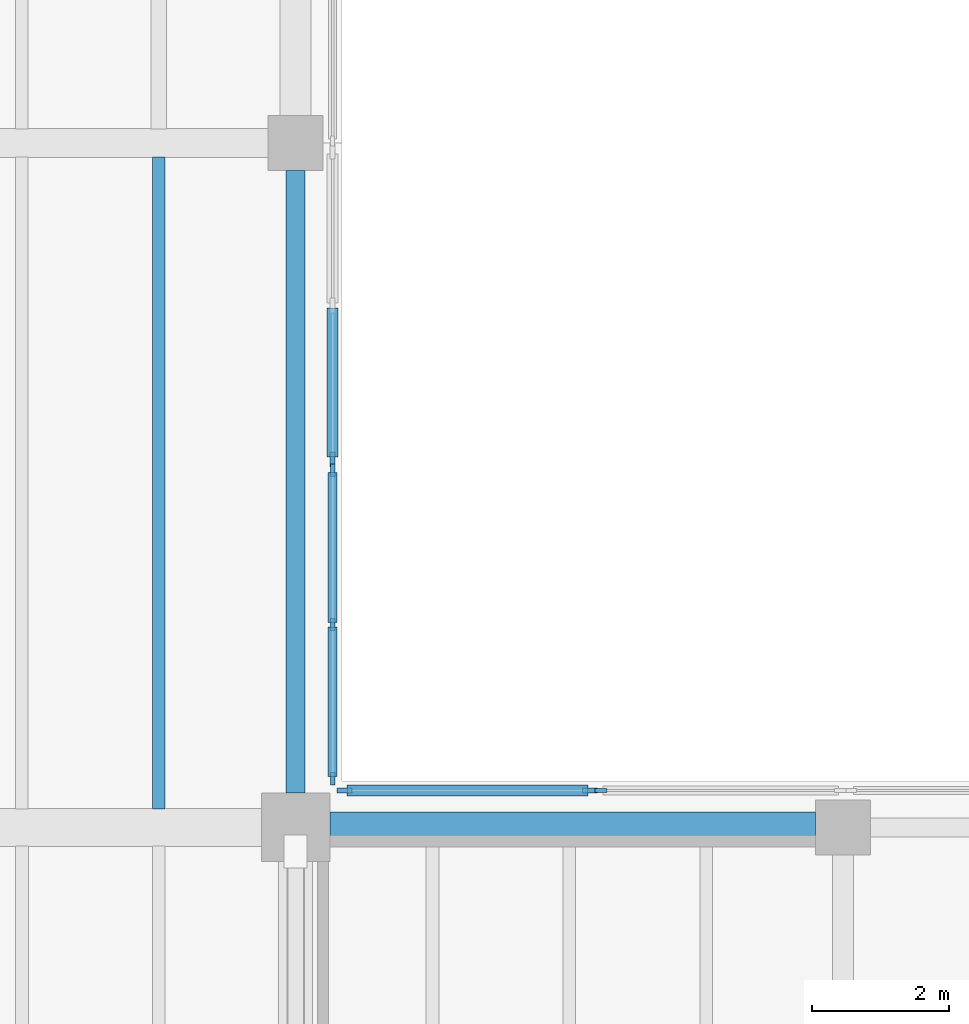
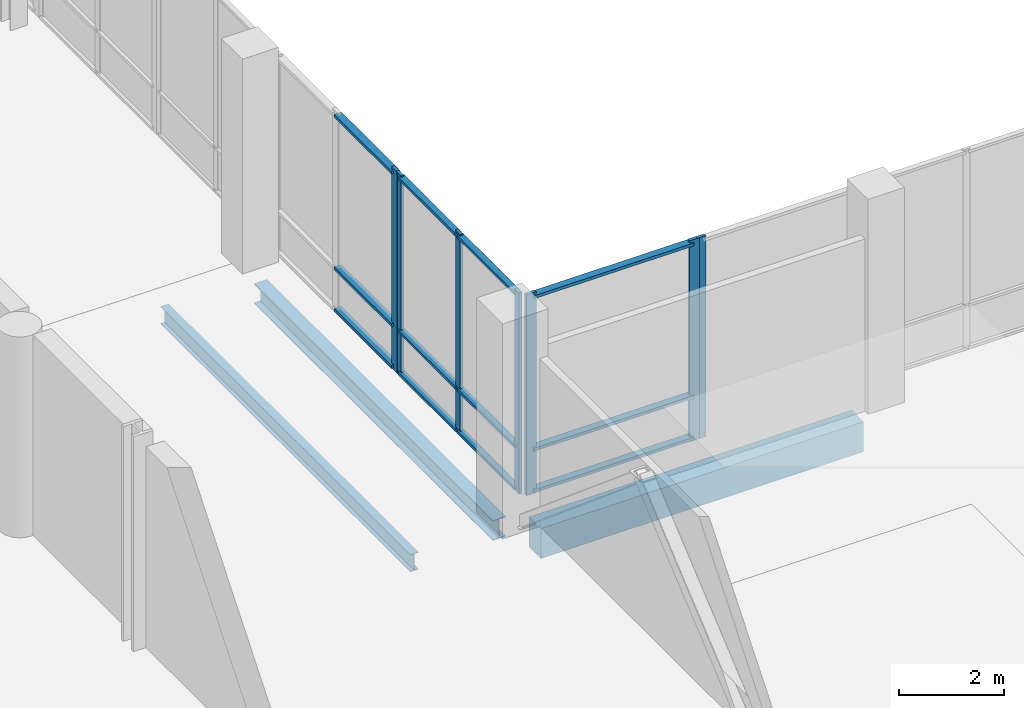
# One storey, part 31 of 81: 19 members, 3 beams, 4 elements without a shape of their own.
"""IFC4 building model written with IfcOpenShell, lengths in metres."""

from ifc_helpers import new_model, si_unit, direction, frame, origin, origin_2d, place, context, subcontext, project, spatial, rectangle, i_section, extrude, material, material_profile, profile_set, type_object, element, aggregate, save


model = new_model("IFC4")

# Units and contexts
model_context = context("Model", 3, precision=1e-05, world=origin(), true_north=direction((0.0, 1.0)))
body_context = subcontext(model_context, "Body", "Model", "MODEL_VIEW")
ifc_project = project(units=[si_unit("LENGTHUNIT", "METRE"), si_unit("AREAUNIT", "SQUARE_METRE"), si_unit("VOLUMEUNIT", "CUBIC_METRE"), si_unit("PLANEANGLEUNIT", "RADIAN"), si_unit("MASSUNIT", "GRAM", prefix="KILO")], contexts=[model_context])

# Site, building, storey
site_placement = place(None, origin())
site = spatial("IfcSite", under=ifc_project, at=site_placement, CompositionType="ELEMENT")
building_placement = place(site_placement, origin())
building = spatial("IfcBuilding", under=site, at=building_placement, Name="Trimount Lyric Opera House", CompositionType="ELEMENT")
storey_placement = place(building_placement, frame((0.0, 0.0, 5.0)))
storey = spatial("IfcBuildingStorey", under=building, at=storey_placement, Name="L01", CompositionType="ELEMENT", Elevation=5.0)

# Beam
ifc_material_1 = material(Name="Steel ASTM A992 Grade 50", Category="steel")
ifc_material_profile_1 = material_profile(ifc_material_1, i_section(OverallWidth=0.177978515625, OverallDepth=0.404052734375, WebThickness=0.007568359375, FlangeThickness=0.010986328125, FilletRadius=0.010009765625, at=origin_2d()), Name="W16X36")
ifc_profile_set_1 = profile_set([ifc_material_profile_1], Name="Steel ASTM A992 Grade 50")
beam_type_1 = type_object("IfcBeamType", Name="J-06", PredefinedType="BEAM", material=ifc_profile_set_1)
beam_1_placement = place(storey_placement, frame((120.0, 74.27099609375, -0.48193359375), z_axis=(0.0, 1.0, 0.0), x_axis=(-1.0, 0.0, 0.0)))
element("IfcBeam", 1, at=beam_1_placement, inside=storey, type_object=beam_type_1, Name="L01 composite floor joist 0706", PredefinedType="BEAM", context=body_context, shape_type="SweptSolid", body=[
    extrude(i_section(OverallWidth=0.177978515625, OverallDepth=0.404052734375, WebThickness=0.007568359375, FlangeThickness=0.010986328125, FilletRadius=0.010009765625, at=origin_2d()), origin(), (0.0, 0.0, 1.0), 9.5234375),
])

# Curtain wall, members
ifc_material_2 = material(Name="Thermally Broken Aluminium and Low-E Glass", Category="aluminium")
curtain_wall_type = type_object("IfcCurtainWallType", Name="CW-03", PredefinedType="NOTDEFINED", material=ifc_material_2)
curtain_wall_1_placement = place(storey_placement, origin())
curtain_wall_1 = element("IfcCurtainWall", 2, at=curtain_wall_1_placement, inside=storey, type_object=curtain_wall_type, Name="L01 curtain wall 120", PredefinedType="NOTDEFINED")
ifc_material_3 = material(Name="Anodised Aluminium 6063-T6", Category="aluminium")
ifc_material_profile_2 = material_profile(ifc_material_3, rectangle(XDim=0.070068359375, YDim=0.219970703125, at=origin_2d()), Name="ALU-MULL-70X220")
ifc_profile_set_2 = profile_set([ifc_material_profile_2], Name="Anodised Aluminium 6063-T6")
member_type_1 = type_object("IfcMemberType", Name="ML-01", PredefinedType="MULLION", material=ifc_profile_set_2)
member_1_placement = place(storey_placement, frame((122.715087890625, 74.5400390625, 0.0), z_axis=(0.0, 0.0, 1.0), x_axis=(0.0, 1.0, 0.0)))
member_1 = element("IfcMember", 3, at=member_1_placement, type_object=member_type_1, Name="CW-03 mullion 1", PredefinedType="MULLION", context=body_context, shape_type="SweptSolid", body=[
    extrude(rectangle(XDim=0.070068359375, YDim=0.219970703125, at=origin_2d()), origin(), (0.0, 0.0, 1.0), 4.679931640625),
])
member_2_placement = place(storey_placement, frame((126.304931640625, 74.5400390625, 0.0), z_axis=(0.0, 0.0, 1.0), x_axis=(0.0, 1.0, 0.0)))
member_2 = element("IfcMember", 4, at=member_2_placement, type_object=member_type_1, Name="CW-03 mullion 2", PredefinedType="MULLION", context=body_context, shape_type="SweptSolid", body=[
    extrude(rectangle(XDim=0.070068359375, YDim=0.219970703125, at=origin_2d()), origin(), (0.0, 0.0, 1.0), 4.679931640625),
])

# Curtain wall, member
curtain_wall_2_placement = place(storey_placement, origin())
curtain_wall_2 = element("IfcCurtainWall", 5, at=curtain_wall_2_placement, inside=storey, type_object=curtain_wall_type, Name="L01 curtain wall 141", PredefinedType="NOTDEFINED")
member_3_placement = place(storey_placement, frame((122.5400390625, 79.375, 0.0), z_axis=(0.0, 0.0, 1.0), x_axis=(1.0, 0.0, 0.0)))
member_3 = element("IfcMember", 6, at=member_3_placement, type_object=member_type_1, Name="CW-03 mullion 3", PredefinedType="MULLION", context=body_context, shape_type="SweptSolid", body=[
    extrude(rectangle(XDim=0.070068359375, YDim=0.219970703125, at=origin_2d()), origin(), (0.0, 0.0, 1.0), 4.679931640625),
])

curtain_wall_3_placement = place(storey_placement, origin())
curtain_wall_3 = element("IfcCurtainWall", 7, at=curtain_wall_3_placement, inside=storey, type_object=curtain_wall_type, Name="L01 curtain wall 121", PredefinedType="NOTDEFINED")
ifc_material_4 = material(Name="Anodised Aluminium 6063-T6", Category="aluminium")
ifc_material_profile_3 = material_profile(ifc_material_4, rectangle(XDim=0.06494140625, YDim=0.179931640625, at=origin_2d()), Name="ALU-MULL-65X180")
ifc_profile_set_3 = profile_set([ifc_material_profile_3], Name="Anodised Aluminium 6063-T6")
member_type_2 = type_object("IfcMemberType", Name="ML-02", PredefinedType="MULLION", material=ifc_profile_set_3)
member_4_placement = place(storey_placement, frame((126.46240234375, 74.5400390625, 0.0), z_axis=(0.0, 0.0, 1.0), x_axis=(0.0, 1.0, 0.0)))
member_4 = element("IfcMember", 8, at=member_4_placement, type_object=member_type_2, Name="CW-03 mullion 1", PredefinedType="MULLION", context=body_context, shape_type="SweptSolid", body=[
    extrude(rectangle(XDim=0.06494140625, YDim=0.179931640625, at=origin_2d()), origin(), (0.0, 0.0, 1.0), 4.679931640625),
])
aggregate(curtain_wall_3, [member_4])

# Curtain wall, members
curtain_wall_4_placement = place(storey_placement, origin())
curtain_wall_4 = element("IfcCurtainWall", 9, at=curtain_wall_4_placement, inside=storey, type_object=curtain_wall_type, Name="L01 curtain wall 142", PredefinedType="NOTDEFINED")
member_5_placement = place(storey_placement, frame((122.5400390625, 79.217529296875, 0.0), z_axis=(0.0, 0.0, 1.0), x_axis=(1.0, 0.0, 0.0)))
member_5 = element("IfcMember", 10, at=member_5_placement, type_object=member_type_2, Name="CW-03 mullion 1", PredefinedType="MULLION", context=body_context, shape_type="SweptSolid", body=[
    extrude(rectangle(XDim=0.06494140625, YDim=0.179931640625, at=origin_2d()), origin(), (0.0, 0.0, 1.0), 4.679931640625),
])
member_6_placement = place(storey_placement, frame((122.5400390625, 76.965087890625, 0.0), z_axis=(0.0, 0.0, 1.0), x_axis=(1.0, 0.0, 0.0)))
member_6 = element("IfcMember", 11, at=member_6_placement, type_object=member_type_2, Name="CW-03 mullion 2", PredefinedType="MULLION", context=body_context, shape_type="SweptSolid", body=[
    extrude(rectangle(XDim=0.06494140625, YDim=0.179931640625, at=origin_2d()), origin(), (0.0, 0.0, 1.0), 4.679931640625),
])
member_7_placement = place(storey_placement, frame((122.5400390625, 74.71240234375, 0.0), z_axis=(0.0, 0.0, 1.0), x_axis=(1.0, 0.0, 0.0)))
member_7 = element("IfcMember", 12, at=member_7_placement, type_object=member_type_2, Name="CW-03 mullion 3", PredefinedType="MULLION", context=body_context, shape_type="SweptSolid", body=[
    extrude(rectangle(XDim=0.06494140625, YDim=0.179931640625, at=origin_2d()), origin(), (0.0, 0.0, 1.0), 4.679931640625),
])

# Beams
ifc_material_5 = material(Name="Steel ASTM A992 Grade 50", Category="steel")
ifc_material_profile_4 = material_profile(ifc_material_5, i_section(OverallWidth=0.281982421875, OverallDepth=0.467041015625, WebThickness=0.01220703125, FlangeThickness=0.01953125, FilletRadius=0.012939453125, at=origin_2d()), Name="W18X86")
ifc_profile_set_4 = profile_set([ifc_material_profile_4], Name="Steel ASTM A992 Grade 50")
beam_type_2 = type_object("IfcBeamType", Name="SP-01", PredefinedType="SPANDREL", material=ifc_profile_set_4)
beam_2_placement = place(storey_placement, frame((122.0, 74.5, -0.54345703125), z_axis=(0.0, 1.0, 0.0), x_axis=(-1.0, 0.0, 0.0)))
element("IfcBeam", 13, at=beam_2_placement, inside=storey, type_object=beam_type_2, Name="L01 girder Y-0673", PredefinedType="SPANDREL", context=body_context, shape_type="SweptSolid", body=[
    extrude(i_section(OverallWidth=0.281982421875, OverallDepth=0.467041015625, WebThickness=0.01220703125, FlangeThickness=0.01953125, FilletRadius=0.012939453125, at=origin_2d()), origin(), (0.0, 0.0, 1.0), 9.10009765625),
])
ifc_material_6 = material(Name="Concrete C40/50", Category="concrete")
ifc_material_profile_5 = material_profile(ifc_material_6, rectangle(XDim=0.449951171875, YDim=0.699951171875, at=origin_2d()), Name="RC450X700")
ifc_profile_set_5 = profile_set([ifc_material_profile_5], Name="Concrete C40/50")
beam_type_3 = type_object("IfcBeamType", Name="SP-02", PredefinedType="SPANDREL", material=ifc_profile_set_5)
beam_3_placement = place(storey_placement, frame((122.5, 74.0, -0.6298828125), z_axis=(1.0, 0.0, 0.0), x_axis=(0.0, 1.0, 0.0)))
element("IfcBeam", 14, at=beam_3_placement, inside=storey, type_object=beam_type_3, Name="L01 girder X-0528", PredefinedType="SPANDREL", context=body_context, shape_type="SweptSolid", body=[
    extrude(rectangle(XDim=0.449951171875, YDim=0.699951171875, at=origin_2d()), origin(), (0.0, 0.0, 1.0), 7.10009765625),
])

# Member
ifc_material_7 = material(Name="Anodised Aluminium 6063-T6", Category="aluminium")
ifc_material_profile_6 = material_profile(ifc_material_7, rectangle(XDim=0.159912109375, YDim=0.070068359375, at=origin_2d()), Name="ALU-TRAN-70X160")
ifc_profile_set_6 = profile_set([ifc_material_profile_6], Name="Anodised Aluminium 6063-T6")
member_type_3 = type_object("IfcMemberType", Name="TR-01", PredefinedType="USERDEFINED", material=ifc_profile_set_6)
member_8_placement = place(storey_placement, frame((122.75, 74.5400390625, 0.080078125), z_axis=(1.0, 0.0, 0.0), x_axis=(0.0, 1.0, 0.0)))
member_8 = element("IfcMember", 15, at=member_8_placement, type_object=member_type_3, Name="CW-03 transom 1.1", ObjectType="TRANSOM", PredefinedType="USERDEFINED", context=body_context, shape_type="SweptSolid", body=[
    extrude(rectangle(XDim=0.159912109375, YDim=0.070068359375, at=origin_2d()), origin(), (0.0, 0.0, 1.0), 3.52001953125),
])

member_9_placement = place(storey_placement, frame((122.75, 74.5400390625, 1.050048828125), z_axis=(1.0, 0.0, 0.0), x_axis=(0.0, 1.0, 0.0)))
member_9 = element("IfcMember", 16, at=member_9_placement, type_object=member_type_3, Name="CW-03 transom 1.2", ObjectType="TRANSOM", PredefinedType="USERDEFINED", context=body_context, shape_type="SweptSolid", body=[
    extrude(rectangle(XDim=0.159912109375, YDim=0.070068359375, at=origin_2d()), origin(), (0.0, 0.0, 1.0), 3.52001953125),
])

member_10_placement = place(storey_placement, frame((122.75, 74.5400390625, 4.60009765625), z_axis=(1.0, 0.0, 0.0), x_axis=(0.0, 1.0, 0.0)))
member_10 = element("IfcMember", 17, at=member_10_placement, type_object=member_type_3, Name="CW-03 transom 1.3", ObjectType="TRANSOM", PredefinedType="USERDEFINED", context=body_context, shape_type="SweptSolid", body=[
    extrude(rectangle(XDim=0.159912109375, YDim=0.070068359375, at=origin_2d()), origin(), (0.0, 0.0, 1.0), 3.52001953125),
])

aggregate(curtain_wall_1, [member_1, member_2, member_8, member_9, member_10])

member_11_placement = place(storey_placement, frame((122.5400390625, 81.590087890625, 0.080078125), z_axis=(0.0, -1.0, 0.0), x_axis=(1.0, 0.0, 0.0)))
member_11 = element("IfcMember", 18, at=member_11_placement, type_object=member_type_3, Name="CW-03 transom 2.1", ObjectType="TRANSOM", PredefinedType="USERDEFINED", context=body_context, shape_type="SweptSolid", body=[
    extrude(rectangle(XDim=0.159912109375, YDim=0.070068359375, at=origin_2d()), origin(), (0.0, 0.0, 1.0), 2.18017578125),
])

member_12_placement = place(storey_placement, frame((122.5400390625, 81.590087890625, 1.050048828125), z_axis=(0.0, -1.0, 0.0), x_axis=(1.0, 0.0, 0.0)))
member_12 = element("IfcMember", 19, at=member_12_placement, type_object=member_type_3, Name="CW-03 transom 2.2", ObjectType="TRANSOM", PredefinedType="USERDEFINED", context=body_context, shape_type="SweptSolid", body=[
    extrude(rectangle(XDim=0.159912109375, YDim=0.070068359375, at=origin_2d()), origin(), (0.0, 0.0, 1.0), 2.18017578125),
])

member_13_placement = place(storey_placement, frame((122.5400390625, 81.590087890625, 4.60009765625), z_axis=(0.0, -1.0, 0.0), x_axis=(1.0, 0.0, 0.0)))
member_13 = element("IfcMember", 20, at=member_13_placement, type_object=member_type_3, Name="CW-03 transom 2.3", ObjectType="TRANSOM", PredefinedType="USERDEFINED", context=body_context, shape_type="SweptSolid", body=[
    extrude(rectangle(XDim=0.159912109375, YDim=0.070068359375, at=origin_2d()), origin(), (0.0, 0.0, 1.0), 2.18017578125),
])

aggregate(curtain_wall_2, [member_3, member_11, member_12, member_13])

ifc_material_8 = material(Name="Anodised Aluminium 6063-T6", Category="aluminium")
ifc_material_profile_7 = material_profile(ifc_material_8, rectangle(XDim=0.135009765625, YDim=0.06494140625, at=origin_2d()), Name="ALU-TRAN-65X135")
ifc_profile_set_7 = profile_set([ifc_material_profile_7], Name="Anodised Aluminium 6063-T6")
member_type_4 = type_object("IfcMemberType", Name="TR-02", PredefinedType="USERDEFINED", material=ifc_profile_set_7)
member_14_placement = place(storey_placement, frame((122.5400390625, 79.18505859375, 0.0673828125), z_axis=(0.0, -1.0, 0.0), x_axis=(1.0, 0.0, 0.0)))
member_14 = element("IfcMember", 21, at=member_14_placement, type_object=member_type_4, Name="CW-03 transom 1.1", ObjectType="TRANSOM", PredefinedType="USERDEFINED", context=body_context, shape_type="SweptSolid", body=[
    extrude(rectangle(XDim=0.135009765625, YDim=0.06494140625, at=origin_2d()), origin(), (0.0, 0.0, 1.0), 2.1875),
])

member_15_placement = place(storey_placement, frame((122.5400390625, 79.18505859375, 1.050048828125), z_axis=(0.0, -1.0, 0.0), x_axis=(1.0, 0.0, 0.0)))
member_15 = element("IfcMember", 22, at=member_15_placement, type_object=member_type_4, Name="CW-03 transom 1.2", ObjectType="TRANSOM", PredefinedType="USERDEFINED", context=body_context, shape_type="SweptSolid", body=[
    extrude(rectangle(XDim=0.135009765625, YDim=0.06494140625, at=origin_2d()), origin(), (0.0, 0.0, 1.0), 2.1875),
])

member_16_placement = place(storey_placement, frame((122.5400390625, 79.18505859375, 4.612548828125), z_axis=(0.0, -1.0, 0.0), x_axis=(1.0, 0.0, 0.0)))
member_16 = element("IfcMember", 23, at=member_16_placement, type_object=member_type_4, Name="CW-03 transom 1.3", ObjectType="TRANSOM", PredefinedType="USERDEFINED", context=body_context, shape_type="SweptSolid", body=[
    extrude(rectangle(XDim=0.135009765625, YDim=0.06494140625, at=origin_2d()), origin(), (0.0, 0.0, 1.0), 2.1875),
])

member_17_placement = place(storey_placement, frame((122.5400390625, 76.9326171875, 0.0673828125), z_axis=(0.0, -1.0, 0.0), x_axis=(1.0, 0.0, 0.0)))
member_17 = element("IfcMember", 24, at=member_17_placement, type_object=member_type_4, Name="CW-03 transom 2.1", ObjectType="TRANSOM", PredefinedType="USERDEFINED", context=body_context, shape_type="SweptSolid", body=[
    extrude(rectangle(XDim=0.135009765625, YDim=0.06494140625, at=origin_2d()), origin(), (0.0, 0.0, 1.0), 2.1875),
])

member_18_placement = place(storey_placement, frame((122.5400390625, 76.9326171875, 1.050048828125), z_axis=(0.0, -1.0, 0.0), x_axis=(1.0, 0.0, 0.0)))
member_18 = element("IfcMember", 25, at=member_18_placement, type_object=member_type_4, Name="CW-03 transom 2.2", ObjectType="TRANSOM", PredefinedType="USERDEFINED", context=body_context, shape_type="SweptSolid", body=[
    extrude(rectangle(XDim=0.135009765625, YDim=0.06494140625, at=origin_2d()), origin(), (0.0, 0.0, 1.0), 2.1875),
])

member_19_placement = place(storey_placement, frame((122.5400390625, 76.9326171875, 4.612548828125), z_axis=(0.0, -1.0, 0.0), x_axis=(1.0, 0.0, 0.0)))
member_19 = element("IfcMember", 26, at=member_19_placement, type_object=member_type_4, Name="CW-03 transom 2.3", ObjectType="TRANSOM", PredefinedType="USERDEFINED", context=body_context, shape_type="SweptSolid", body=[
    extrude(rectangle(XDim=0.135009765625, YDim=0.06494140625, at=origin_2d()), origin(), (0.0, 0.0, 1.0), 2.1875),
])

aggregate(curtain_wall_4, [member_5, member_6, member_7, member_14, member_15, member_16, member_17, member_18, member_19])

save(model, "model.ifc")
